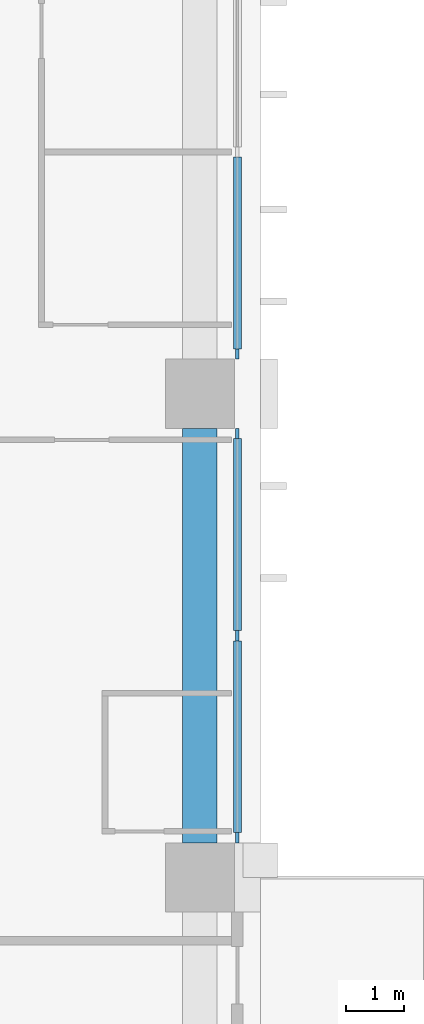
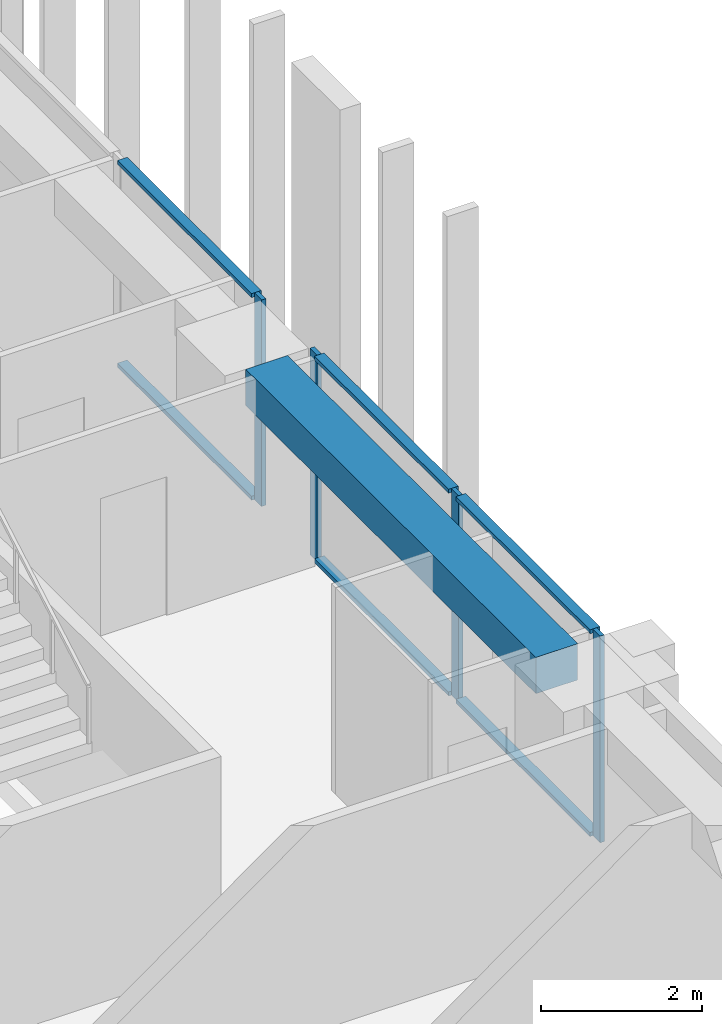
# One storey, part 4 of 19: 10 members, 1 beam, 2 elements without a shape of their own.
"""IFC4 building model written with IfcOpenShell, lengths in metres."""

import ifcopenshell
import ifcopenshell.guid

model = None  # the IFC model being written
_history = None  # IfcOwnerHistory: only IFC2X3 demands one
_inside = {}  # id of a spatial element -> (the spatial element, [elements in it])
_under = {}  # id of a project, library or spatial element -> (it, [spatial elements below it])
_declared = {}  # id of a project -> (the project, [libraries it declares])
_typed = {}  # id of a type object -> (the type object, [elements of that type])
_made_of = {}  # id of a material, layer set ... -> (it, [elements and type objects made of it])


def new_model(schema):
    """Start an empty IFC model of exactly this schema.

    Asked for "IFC4X3", IfcOpenShell would pick the latest addendum, in which some entities
    have other attributes; the version numbers below select the first issue.
    IFC2X3 requires an IfcOwnerHistory on every rooted entity: one is made here for all.
    """
    global model, _history
    if schema == "IFC4X3":
        model = ifcopenshell.file(schema_version=(4, 3, 0, 0))
    else:
        model = ifcopenshell.file(schema=schema)
    _inside.clear()
    _under.clear()
    _declared.clear()
    _typed.clear()
    _made_of.clear()
    _history = None
    if model.schema == "IFC2X3":
        org = make("IfcOrganization", Name="unknown")
        user = make(
            "IfcPersonAndOrganization",
            ThePerson=make("IfcPerson", FamilyName="unknown"),
            TheOrganization=org,
        )
        app = make(
            "IfcApplication",
            ApplicationDeveloper=org,
            Version="unknown",
            ApplicationFullName="unknown",
            ApplicationIdentifier="unknown",
        )
        _history = make(
            "IfcOwnerHistory",
            OwningUser=user,
            OwningApplication=app,
            ChangeAction="ADDED",
            CreationDate=0,
        )
    return model


def make(cls, **values):
    """One entity of the class cls with the attributes given. An attribute that is None is left unset."""
    return model.create_entity(
        cls, **{name: value for name, value in values.items() if value is not None}
    )


def rooted(cls, **values):
    """An entity with a GlobalId (a new one), such as an element, a storey or a relation."""
    return make(cls, GlobalId=ifcopenshell.guid.new(), OwnerHistory=_history, **values)


def si_unit(unit_type, name, prefix=None):
    """IfcSIUnit, for example si_unit("LENGTHUNIT", "METRE", prefix="MILLI")."""
    return make("IfcSIUnit", UnitType=unit_type, Prefix=prefix, Name=name)


def assignment(units):
    """IfcUnitAssignment: the units of a project."""
    return None if units is None else make("IfcUnitAssignment", Units=units)


def point(xyz):
    """IfcCartesianPoint."""
    return None if xyz is None else make("IfcCartesianPoint", Coordinates=xyz)


def direction(xyz):
    """IfcDirection."""
    return None if xyz is None else make("IfcDirection", DirectionRatios=xyz)


def frame(location, z_axis=None, x_axis=None):
    """IfcAxis2Placement3D, a coordinate frame: its origin and axes. An axis left out is left unset."""
    return make(
        "IfcAxis2Placement3D",
        Location=point(location),
        Axis=direction(z_axis),
        RefDirection=direction(x_axis),
    )


def frame_2d(location, x_axis=None):
    """IfcAxis2Placement2D, a coordinate frame in the plane: its origin and x axis."""
    return make(
        "IfcAxis2Placement2D", Location=point(location), RefDirection=direction(x_axis)
    )


def origin():
    """The frame at (0, 0, 0) with its axes left unset."""
    return frame((0.0, 0.0, 0.0))


def origin_2d():
    """The frame at (0, 0) in the plane with its x axis left unset."""
    return frame_2d((0.0, 0.0))


def place(relative_to, where):
    """IfcLocalPlacement: puts the frame where relative to a parent placement (None: the world)."""
    return make(
        "IfcLocalPlacement", PlacementRelTo=relative_to, RelativePlacement=where
    )


def context(
    kind, dimensions, precision=None, world=None, true_north=None, identifier=None
):
    """IfcGeometricRepresentationContext, for example the 3D "Model" context."""
    return make(
        "IfcGeometricRepresentationContext",
        ContextIdentifier=identifier,
        ContextType=kind,
        CoordinateSpaceDimension=dimensions,
        Precision=precision,
        WorldCoordinateSystem=world,
        TrueNorth=true_north,
    )


def subcontext(parent, identifier, kind, view, scale=None):
    """IfcGeometricRepresentationSubContext, for example "Body" below "Model"."""
    return make(
        "IfcGeometricRepresentationSubContext",
        ContextIdentifier=identifier,
        ContextType=kind,
        ParentContext=parent,
        TargetScale=scale,
        TargetView=view,
    )


def project(units=None, contexts=None):
    """IfcProject with its units and contexts."""
    return rooted(
        "IfcProject",
        Name="project",
        RepresentationContexts=contexts,
        UnitsInContext=assignment(units),
    )


def spatial(cls, under=None, at=None, **own):
    """A site, building, storey or space (cls), placed at a placement, below another one or the project."""
    s = rooted(cls, ObjectPlacement=at, **own)
    if under is not None:
        _under.setdefault(under.id(), (under, []))[1].append(s)
    return s


def profile(cls, at=None, kind="AREA", **sizes):
    """A parametric profile (cls). Its sizes go by their IFC names, for example OverallWidth=200.0."""
    return make(cls, ProfileType=kind, Position=at, **sizes)


def rectangle(**sizes):
    """IfcRectangleProfileDef."""
    return profile("IfcRectangleProfileDef", **sizes)


def extrude(swept, where, along, depth):
    """IfcExtrudedAreaSolid: the profile swept, set in the frame where, extruded along a direction by depth."""
    return make(
        "IfcExtrudedAreaSolid",
        SweptArea=swept,
        Position=where,
        ExtrudedDirection=direction(along),
        Depth=depth,
    )


def shape(context_of_items, identifier, shape_type, items):
    """IfcShapeRepresentation: the items that make up one representation, for example the "Body"."""
    return make(
        "IfcShapeRepresentation",
        ContextOfItems=context_of_items,
        RepresentationIdentifier=identifier,
        RepresentationType=shape_type,
        Items=items,
    )


def material(Name=None, Category=None):
    """IfcMaterial."""
    return make("IfcMaterial", Name=Name, Category=Category)


def material_profile(
    of_material, cross_section, Name=None, Category=None, Priority=None
):
    """IfcMaterialProfile: a cross section and its material."""
    return make(
        "IfcMaterialProfile",
        Name=Name,
        Material=of_material,
        Profile=cross_section,
        Priority=Priority,
        Category=Category,
    )


def profile_set(profiles, Name=None, composite=None):
    """IfcMaterialProfileSet."""
    return make(
        "IfcMaterialProfileSet",
        Name=Name,
        MaterialProfiles=profiles,
        CompositeProfile=composite,
    )


def made_of(thing, what):
    """Note that an element or type object is made of a material, layer set ...; save() writes the relation."""
    if what is not None:
        _made_of.setdefault(what.id(), (what, []))[1].append(thing)
    return thing


def type_object(cls, material=None, **own):
    """A type object (cls), such as IfcWallType, which elements share."""
    return made_of(rooted(cls, **own), material)


def element(
    cls,
    number,
    at=None,
    inside=None,
    cuts=None,
    type_object=None,
    material=None,
    context=None,
    identifier="Body",
    shape_type=None,
    held_by="IfcProductDefinitionShape",
    body=None,
    shapes=None,
    **own,
):
    """One element of the class cls, such as IfcWall. Its Tag is "e" and its number.

    at: its placement. inside: the storey or other place that contains it. cuts: it is an
    opening in that element (IfcRelVoidsElement). A single representation is given by context,
    identifier, shape_type and body (its items); several are given by shapes. held_by: the class
    of the entity that holds the representations. save() writes the other relations.
    """
    e = rooted(cls, Tag="e%d" % number, ObjectPlacement=at, **own)
    if body is not None:
        shapes = [shape(context, identifier, shape_type, body)]
    if shapes is not None:
        e.Representation = make(held_by, Representations=shapes)
    if inside is not None:
        _inside.setdefault(inside.id(), (inside, []))[1].append(e)
    if cuts is not None:
        rooted(
            "IfcRelVoidsElement", RelatingBuildingElement=cuts, RelatedOpeningElement=e
        )
    if type_object is not None:
        _typed.setdefault(type_object.id(), (type_object, []))[1].append(e)
    return made_of(e, material)


def aggregate(whole, parts):
    """IfcRelAggregates: a whole, such as a stair, and the parts it consists of."""
    return rooted("IfcRelAggregates", RelatingObject=whole, RelatedObjects=parts)


def save(model, path):
    """Write the relations noted so far, then the file.

    IfcRelAggregates (storeys below a building ...), IfcRelContainedInSpatialStructure (elements
    in a storey), IfcRelDefinesByType, IfcRelAssociatesMaterial and IfcRelDeclares: one each for
    every whole, place, type object, material and project.
    """
    for whole, parts in _under.values():
        aggregate(whole, parts)
    for where, things in _inside.values():
        rooted(
            "IfcRelContainedInSpatialStructure",
            RelatedElements=things,
            RelatingStructure=where,
        )
    for kind, things in _typed.values():
        rooted("IfcRelDefinesByType", RelatedObjects=things, RelatingType=kind)
    for what, things in _made_of.values():
        rooted("IfcRelAssociatesMaterial", RelatedObjects=things, RelatingMaterial=what)
    for by, libraries in _declared.values():
        rooted("IfcRelDeclares", RelatingContext=by, RelatedDefinitions=libraries)
    model.write(path)


model = new_model("IFC4")

# Units and contexts
model_context = context("Model", 3, precision=1e-05, world=origin(), true_north=direction((0.0, 1.0)))
body_context = subcontext(model_context, "Body", "Model", "MODEL_VIEW")
ifc_project = project(units=[si_unit("LENGTHUNIT", "METRE"), si_unit("AREAUNIT", "SQUARE_METRE"), si_unit("VOLUMEUNIT", "CUBIC_METRE"), si_unit("PLANEANGLEUNIT", "RADIAN"), si_unit("MASSUNIT", "GRAM", prefix="KILO")], contexts=[model_context])

# Site, building, storey
site_placement = place(None, origin())
site = spatial("IfcSite", under=ifc_project, at=site_placement, CompositionType="ELEMENT")
building_placement = place(site_placement, origin())
building = spatial("IfcBuilding", under=site, at=building_placement, Name="Vermilion Ogive Tower", CompositionType="ELEMENT")
storey_placement = place(building_placement, frame((0.0, 0.0, 90.75)))
storey = spatial("IfcBuildingStorey", under=building, at=storey_placement, Name="L22", CompositionType="ELEMENT", Elevation=90.75)

# Curtain wall, members
ifc_material_1 = material(Name="Low-iron laminated glazing in aluminium frame", Category="aluminium")
curtain_wall_type = type_object("IfcCurtainWallType", Name="Curtain wall CW7", PredefinedType="NOTDEFINED", material=ifc_material_1)
curtain_wall_1_placement = place(storey_placement, origin())
curtain_wall_1 = element("IfcCurtainWall", 1, at=curtain_wall_1_placement, inside=storey, type_object=curtain_wall_type, Name="Glazed skin E2", PredefinedType="NOTDEFINED")
ifc_material_2 = material(Name="Aluminium mullion", Category="aluminium")
ifc_material_profile_1 = material_profile(ifc_material_2, rectangle(XDim=0.06005859375, YDim=0.179931640625, at=origin_2d()), Name="AL 60x180")
ifc_profile_set_1 = profile_set([ifc_material_profile_1], Name="Aluminium mullion")
member_type_1 = type_object("IfcMemberType", Name="CW7 mullion 60x180", PredefinedType="MULLION", material=ifc_profile_set_1)
member_1_placement = place(storey_placement, frame((25.85009765625, -3.510009765625, 0.0), z_axis=(0.0, 0.0, 1.0), x_axis=(-1.0, 0.0, 0.0)))
member_1 = element("IfcMember", 2, at=member_1_placement, type_object=member_type_1, Name="CW7-E2 mullion 1", PredefinedType="MULLION", context=body_context, shape_type="SweptSolid", body=[
    extrude(rectangle(XDim=0.06005859375, YDim=0.179931640625, at=origin_2d()), origin(), (0.0, 0.0, 1.0), 3.1298828125),
])
member_2_placement = place(storey_placement, frame((25.85009765625, 0.0, 0.0), z_axis=(0.0, 0.0, 1.0), x_axis=(-1.0, 0.0, 0.0)))
member_2 = element("IfcMember", 3, at=member_2_placement, type_object=member_type_1, Name="CW7-E2 mullion 2", PredefinedType="MULLION", context=body_context, shape_type="SweptSolid", body=[
    extrude(rectangle(XDim=0.06005859375, YDim=0.179931640625, at=origin_2d()), origin(), (0.0, 0.0, 1.0), 3.1298828125),
])
member_3_placement = place(storey_placement, frame((25.85009765625, 3.510009765625, 0.0), z_axis=(0.0, 0.0, 1.0), x_axis=(-1.0, 0.0, 0.0)))
member_3 = element("IfcMember", 4, at=member_3_placement, type_object=member_type_1, Name="CW7-E2 mullion 3", PredefinedType="MULLION", context=body_context, shape_type="SweptSolid", body=[
    extrude(rectangle(XDim=0.06005859375, YDim=0.179931640625, at=origin_2d()), origin(), (0.0, 0.0, 1.0), 3.1298828125),
])

# Curtain wall, member
curtain_wall_2_placement = place(storey_placement, origin())
curtain_wall_2 = element("IfcCurtainWall", 5, at=curtain_wall_2_placement, inside=storey, type_object=curtain_wall_type, Name="Glazed skin E3", PredefinedType="NOTDEFINED")
member_4_placement = place(storey_placement, frame((25.85009765625, 4.889892578125, 0.0), z_axis=(0.0, 0.0, 1.0), x_axis=(-1.0, 0.0, 0.0)))
member_4 = element("IfcMember", 6, at=member_4_placement, type_object=member_type_1, Name="CW7-E3 mullion 1", PredefinedType="MULLION", context=body_context, shape_type="SweptSolid", body=[
    extrude(rectangle(XDim=0.06005859375, YDim=0.179931640625, at=origin_2d()), origin(), (0.0, 0.0, 1.0), 3.1298828125),
])

# Member
ifc_material_3 = material(Name="Aluminium transom", Category="aluminium")
ifc_material_profile_2 = material_profile(ifc_material_3, rectangle(XDim=0.139892578125, YDim=0.06005859375, at=origin_2d()), Name="AL 60x140")
ifc_profile_set_2 = profile_set([ifc_material_profile_2], Name="Aluminium transom")
member_type_2 = type_object("IfcMemberType", Name="CW7 transom 60x140", PredefinedType="USERDEFINED", material=ifc_profile_set_2)
member_5_placement = place(storey_placement, frame((25.85009765625, -3.419921875, 0.030029296875), z_axis=(0.0, 1.0, 0.0), x_axis=(-1.0, 0.0, 0.0)))
member_5 = element("IfcMember", 7, at=member_5_placement, type_object=member_type_2, Name="CW7-E2 transom 1.1", ObjectType="TRANSOM", PredefinedType="USERDEFINED", context=body_context, shape_type="SweptSolid", body=[
    extrude(rectangle(XDim=0.139892578125, YDim=0.06005859375, at=origin_2d()), origin(), (0.0, 0.0, 1.0), 3.329833984375),
])

member_6_placement = place(storey_placement, frame((25.85009765625, -3.419921875, 3.10009765625), z_axis=(0.0, 1.0, 0.0), x_axis=(-1.0, 0.0, 0.0)))
member_6 = element("IfcMember", 8, at=member_6_placement, type_object=member_type_2, Name="CW7-E2 transom 1.2", ObjectType="TRANSOM", PredefinedType="USERDEFINED", context=body_context, shape_type="SweptSolid", body=[
    extrude(rectangle(XDim=0.139892578125, YDim=0.06005859375, at=origin_2d()), origin(), (0.0, 0.0, 1.0), 3.329833984375),
])

member_7_placement = place(storey_placement, frame((25.85009765625, 0.090087890625, 0.030029296875), z_axis=(0.0, 1.0, 0.0), x_axis=(-1.0, 0.0, 0.0)))
member_7 = element("IfcMember", 9, at=member_7_placement, type_object=member_type_2, Name="CW7-E2 transom 2.1", ObjectType="TRANSOM", PredefinedType="USERDEFINED", context=body_context, shape_type="SweptSolid", body=[
    extrude(rectangle(XDim=0.139892578125, YDim=0.06005859375, at=origin_2d()), origin(), (0.0, 0.0, 1.0), 3.329833984375),
])

member_8_placement = place(storey_placement, frame((25.85009765625, 0.090087890625, 3.10009765625), z_axis=(0.0, 1.0, 0.0), x_axis=(-1.0, 0.0, 0.0)))
member_8 = element("IfcMember", 10, at=member_8_placement, type_object=member_type_2, Name="CW7-E2 transom 2.2", ObjectType="TRANSOM", PredefinedType="USERDEFINED", context=body_context, shape_type="SweptSolid", body=[
    extrude(rectangle(XDim=0.139892578125, YDim=0.06005859375, at=origin_2d()), origin(), (0.0, 0.0, 1.0), 3.329833984375),
])

aggregate(curtain_wall_1, [member_1, member_2, member_3, member_5, member_6, member_7, member_8])

member_9_placement = place(storey_placement, frame((25.85009765625, 4.97998046875, 0.030029296875), z_axis=(0.0, 1.0, 0.0), x_axis=(-1.0, 0.0, 0.0)))
member_9 = element("IfcMember", 11, at=member_9_placement, type_object=member_type_2, Name="CW7-E3 transom 1.1", ObjectType="TRANSOM", PredefinedType="USERDEFINED", context=body_context, shape_type="SweptSolid", body=[
    extrude(rectangle(XDim=0.139892578125, YDim=0.06005859375, at=origin_2d()), origin(), (0.0, 0.0, 1.0), 3.330078125),
])

member_10_placement = place(storey_placement, frame((25.85009765625, 4.97998046875, 3.10009765625), z_axis=(0.0, 1.0, 0.0), x_axis=(-1.0, 0.0, 0.0)))
member_10 = element("IfcMember", 12, at=member_10_placement, type_object=member_type_2, Name="CW7-E3 transom 1.2", ObjectType="TRANSOM", PredefinedType="USERDEFINED", context=body_context, shape_type="SweptSolid", body=[
    extrude(rectangle(XDim=0.139892578125, YDim=0.06005859375, at=origin_2d()), origin(), (0.0, 0.0, 1.0), 3.330078125),
])

aggregate(curtain_wall_2, [member_4, member_9, member_10])

# Beam
ifc_material_4 = material(Name="Concrete B45", Category="concrete")
ifc_material_profile_3 = material_profile(ifc_material_4, rectangle(XDim=0.60009765625, YDim=0.550048828125, at=origin_2d()), Name="600 x 550")
ifc_profile_set_3 = profile_set([ifc_material_profile_3], Name="Concrete B45")
beam_type = type_object("IfcBeamType", Name="Edge beam 600 x 550 B45", PredefinedType="BEAM", material=ifc_profile_set_3)
beam_placement = place(storey_placement, frame((25.199951171875, -3.60009765625, 2.85498046875), z_axis=(0.0, 1.0, 0.0), x_axis=(-1.0, 0.0, 0.0)))
element("IfcBeam", 13, at=beam_placement, inside=storey, type_object=beam_type, Name="L22-EB-8", PredefinedType="BEAM", context=body_context, shape_type="SweptSolid", body=[
    extrude(rectangle(XDim=0.60009765625, YDim=0.550048828125, at=origin_2d()), origin(), (0.0, 0.0, 1.0), 7.2001953125),
])

save(model, "model.ifc")
